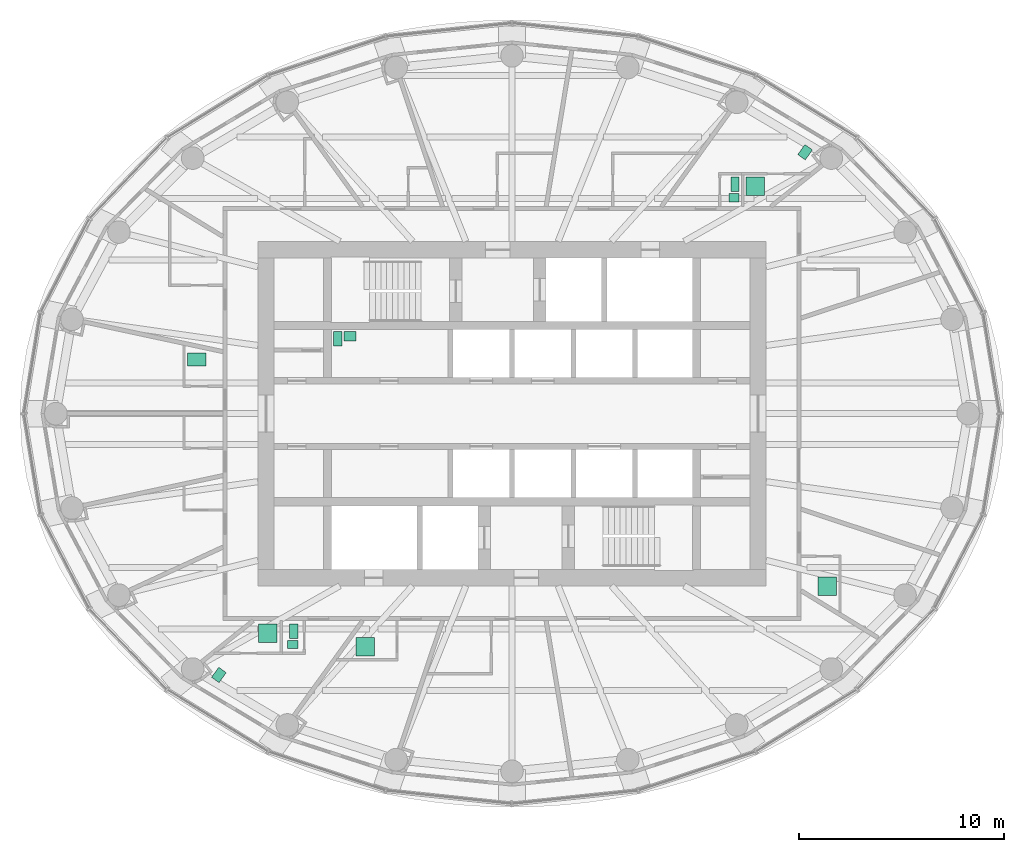
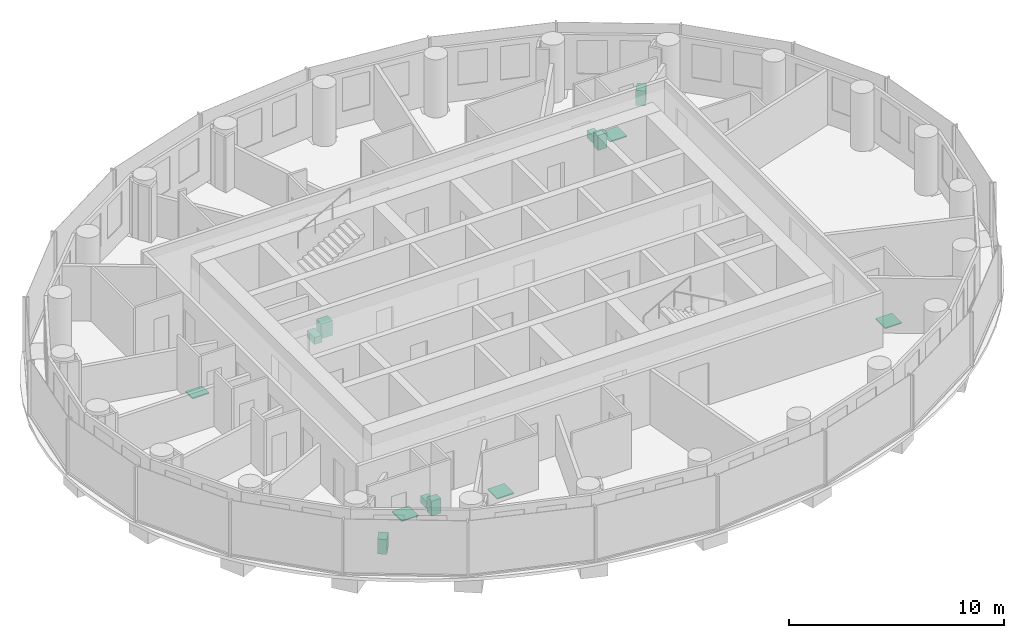
# One storey, part 16 of 16: 13 sanitary terminals.
"""IFC4 building model written with IfcOpenShell, lengths in metres."""

from ifc_helpers import new_model, si_unit, direction, frame, origin, origin_2d, place, context, subcontext, project, spatial, rectangle, extrude, element, save


model = new_model("IFC4")

# Units and contexts
model_context = context("Model", 3, precision=1e-05, world=origin(), true_north=direction((0.0, 1.0)))
body_context = subcontext(model_context, "Body", "Model", "MODEL_VIEW")
ifc_project = project(units=[si_unit("LENGTHUNIT", "METRE"), si_unit("AREAUNIT", "SQUARE_METRE"), si_unit("VOLUMEUNIT", "CUBIC_METRE"), si_unit("PLANEANGLEUNIT", "RADIAN"), si_unit("MASSUNIT", "GRAM", prefix="KILO")], contexts=[model_context])

# Site, building, storey
site_placement = place(None, origin())
site = spatial("IfcSite", under=ifc_project, at=site_placement, CompositionType="ELEMENT")
building_placement = place(site_placement, origin())
building = spatial("IfcBuilding", under=site, at=building_placement, Name="Hankou Lantern Tower", CompositionType="ELEMENT")
storey_placement = place(building_placement, frame((0.0, 0.0, 143.39990234375)))
storey = spatial("IfcBuildingStorey", under=building, at=storey_placement, Name="L37", CompositionType="ELEMENT", Elevation=143.39990234375)

# Sanitary terminals
sanitary_terminal_1_placement = place(storey_placement, frame((-15.3798828125, 2.637451171875, 0.0), z_axis=(0.0, 0.0, 1.0), x_axis=(0.0, 1.0, 0.0)))
element("IfcSanitaryTerminal", 1, at=sanitary_terminal_1_placement, inside=storey, Name="Spa treatment room 3701 shower room shower tray 1", PredefinedType="SHOWER", context=body_context, shape_type="SweptSolid", body=[
    extrude(rectangle(XDim=0.64990234375, YDim=0.89990234375, at=origin_2d()), origin(), (0.0, 0.0, 1.0), 0.06005859375),
])
sanitary_terminal_2_placement = place(storey_placement, frame((-11.916015625, -10.719970703125, 0.0), z_axis=(0.0, 0.0, 1.0), x_axis=(1.0, 0.0, 0.0)))
element("IfcSanitaryTerminal", 2, at=sanitary_terminal_2_placement, inside=storey, Name="Spa changing room women 3705 shower shower tray 1", PredefinedType="SHOWER", context=body_context, shape_type="SweptSolid", body=[
    extrude(rectangle(XDim=0.89990234375, YDim=0.89990234375, at=origin_2d()), origin(), (0.0, 0.0, 1.0), 0.06005859375),
])
sanitary_terminal_3_placement = place(storey_placement, frame((-10.64501953125, -10.6201171875, 0.000244140625), z_axis=(0.0, 0.0, 1.0), x_axis=(0.0, -1.0, 0.0)))
element("IfcSanitaryTerminal", 3, at=sanitary_terminal_3_placement, inside=storey, Name="Spa changing room women 3705 WC WC pan 1", PredefinedType="TOILETPAN", context=body_context, shape_type="SweptSolid", body=[
    extrude(rectangle(XDim=0.699951171875, YDim=0.39990234375, at=origin_2d()), origin(), (0.0, 0.0, 1.0), 0.39990234375),
])
sanitary_terminal_4_placement = place(storey_placement, frame((-10.695068359375, -11.27001953125, 0.0), z_axis=(0.0, 0.0, 1.0), x_axis=(0.0, -1.0, 0.0)))
element("IfcSanitaryTerminal", 4, at=sanitary_terminal_4_placement, inside=storey, Name="Spa changing room women 3705 WC wash basin 1", PredefinedType="WASHHANDBASIN", context=body_context, shape_type="SweptSolid", body=[
    extrude(rectangle(XDim=0.39990234375, YDim=0.5, at=origin_2d()), origin(), (0.0, 0.0, 1.0), 0.85009765625),
])
sanitary_terminal_5_placement = place(storey_placement, frame((-14.297607421875, -12.74951171875, 0.0), z_axis=(0.0, 0.0, 1.0), x_axis=(-0.585205373045, -0.810885116006, 0.0)))
element("IfcSanitaryTerminal", 5, at=sanitary_terminal_5_placement, inside=storey, Name="Spa changing room women 3705 wash basin 1", PredefinedType="WASHHANDBASIN", context=body_context, shape_type="SweptSolid", body=[
    extrude(rectangle(XDim=0.60009765625, YDim=0.449951171875, at=origin_2d()), origin(), (0.0, 0.0, 1.0), 0.85009765625),
])
for number, where, z_axis, x_axis, name in (
    (6, (-7.166259765625, -11.3701171875, 0.0), (0.0, 0.0, 1.0), (1.0, 0.0, 0.0), "Spa treatment room 3706 shower room shower tray 1"),
    (7, (15.3701171875, -8.418212890625, 0.0), (0.0, 0.0, 1.0), (0.0, 1.0, 0.0), "Spa treatment room 3709 shower room shower tray 1"),
    (8, (11.864990234375, 11.080078125, 0.0), (0.0, 0.0, 1.0), (1.0, 0.0, 0.0), "Spa changing room men 3712 shower shower tray 1"),
):
    element("IfcSanitaryTerminal", number, at=place(storey_placement, frame(where, z_axis=z_axis, x_axis=x_axis)), inside=storey, Name=name, PredefinedType="SHOWER", context=body_context, shape_type="SweptSolid", body=[
        extrude(rectangle(XDim=0.89990234375, YDim=0.89990234375, at=origin_2d()), origin(), (0.0, 0.0, 1.0), 0.06005859375),
    ])
sanitary_terminal_6_placement = place(storey_placement, frame((10.875, 11.179931640625, 0.000244140625), z_axis=(0.0, 0.0, 1.0), x_axis=(0.0, -1.0, 0.0)))
element("IfcSanitaryTerminal", 9, at=sanitary_terminal_6_placement, inside=storey, Name="Spa changing room men 3712 WC WC pan 1", PredefinedType="TOILETPAN", context=body_context, shape_type="SweptSolid", body=[
    extrude(rectangle(XDim=0.699951171875, YDim=0.39990234375, at=origin_2d()), origin(), (0.0, 0.0, 1.0), 0.39990234375),
])
sanitary_terminal_7_placement = place(storey_placement, frame((10.824951171875, 10.530029296875, 0.0), z_axis=(0.0, 0.0, 1.0), x_axis=(0.0, -1.0, 0.0)))
element("IfcSanitaryTerminal", 10, at=sanitary_terminal_7_placement, inside=storey, Name="Spa changing room men 3712 WC wash basin 1", PredefinedType="WASHHANDBASIN", context=body_context, shape_type="SweptSolid", body=[
    extrude(rectangle(XDim=0.39990234375, YDim=0.5, at=origin_2d()), origin(), (0.0, 0.0, 1.0), 0.85009765625),
])
sanitary_terminal_8_placement = place(storey_placement, frame((14.297607421875, 12.74951171875, 0.0), z_axis=(0.0, 0.0, 1.0), x_axis=(0.585205373045, 0.810885116006, 0.0)))
element("IfcSanitaryTerminal", 11, at=sanitary_terminal_8_placement, inside=storey, Name="Spa changing room men 3712 wash basin 1", PredefinedType="WASHHANDBASIN", context=body_context, shape_type="SweptSolid", body=[
    extrude(rectangle(XDim=0.60009765625, YDim=0.449951171875, at=origin_2d()), origin(), (0.0, 0.0, 1.0), 0.85009765625),
])
sanitary_terminal_9_placement = place(storey_placement, frame((-8.5, 3.64990234375, 0.000244140625), z_axis=(0.0, 0.0, 1.0), x_axis=(1.0, 0.0, 0.0)))
element("IfcSanitaryTerminal", 12, at=sanitary_terminal_9_placement, inside=storey, Name="Accessible WC WC pan 1", PredefinedType="TOILETPAN", context=body_context, shape_type="SweptSolid", body=[
    extrude(rectangle(XDim=0.39990234375, YDim=0.699951171875, at=origin_2d()), origin(), (0.0, 0.0, 1.0), 0.39990234375),
])
sanitary_terminal_10_placement = place(storey_placement, frame((-7.89990234375, 3.77490234375, 0.0), z_axis=(0.0, 0.0, 1.0), x_axis=(1.0, 0.0, 0.0)))
element("IfcSanitaryTerminal", 13, at=sanitary_terminal_10_placement, inside=storey, Name="Accessible WC wash basin 1", PredefinedType="WASHHANDBASIN", context=body_context, shape_type="SweptSolid", body=[
    extrude(rectangle(XDim=0.60009765625, YDim=0.449951171875, at=origin_2d()), origin(), (0.0, 0.0, 1.0), 0.85009765625),
])

save(model, "model.ifc")
